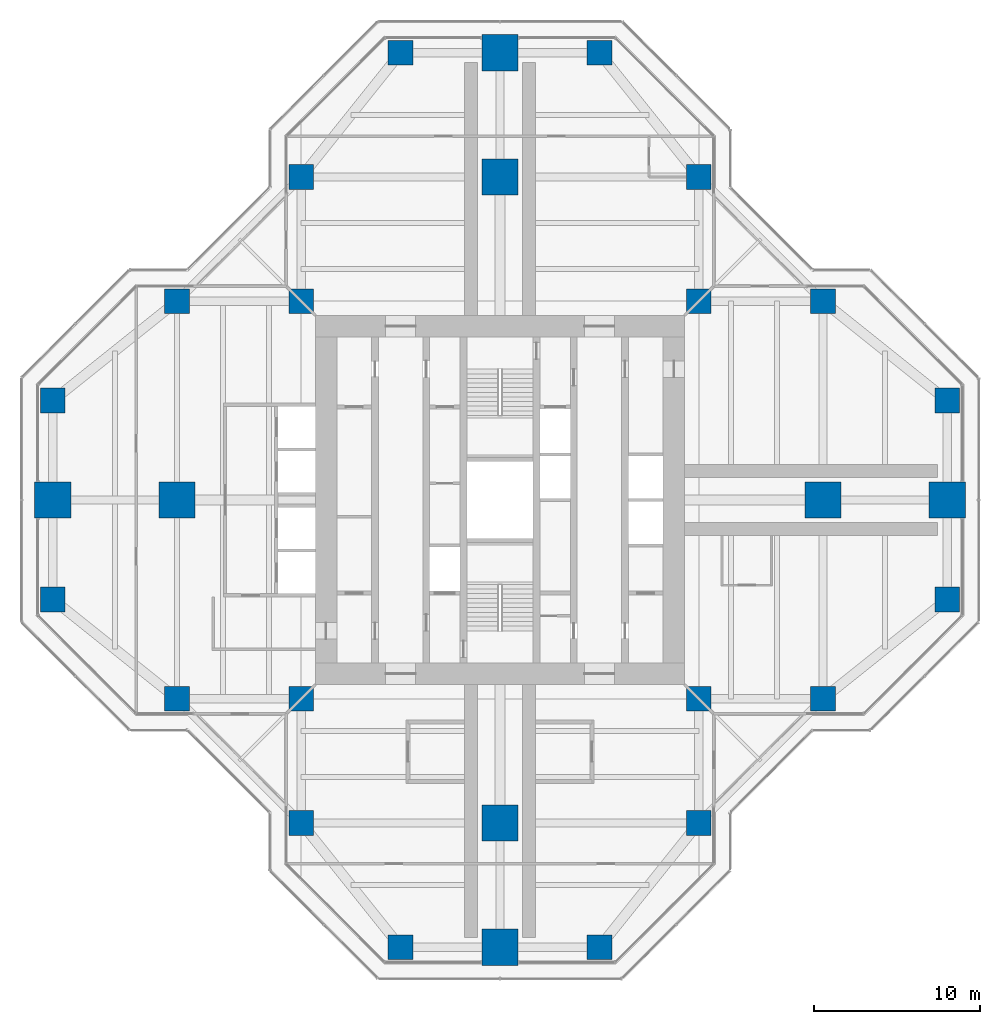
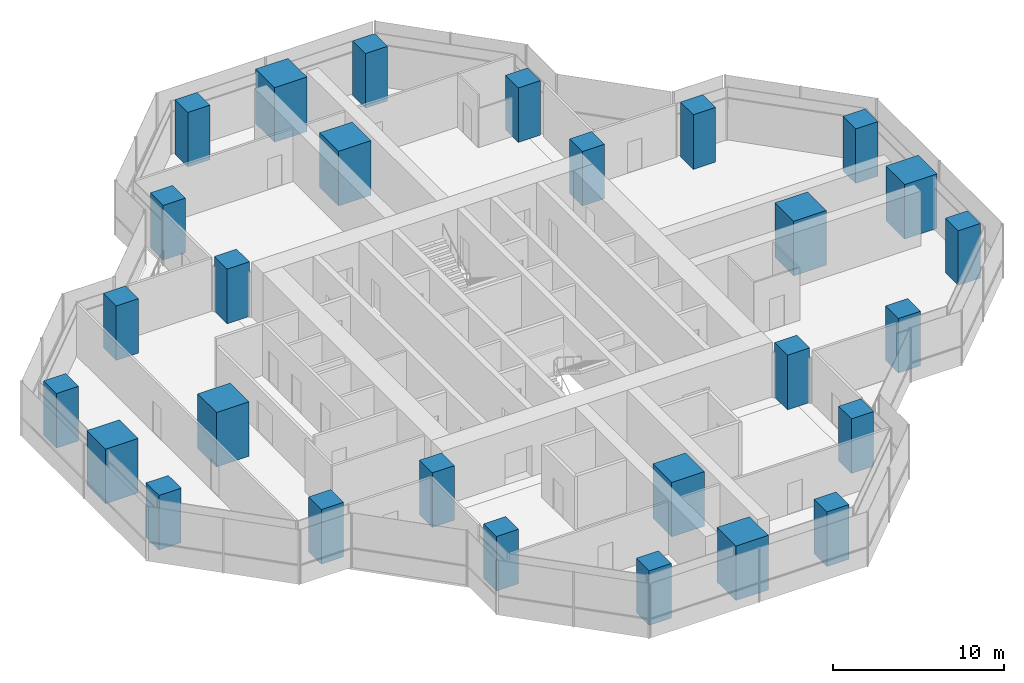
# One storey, part 1 of 17: 28 columns.
"""IFC4 building model written with IfcOpenShell, lengths in metres."""

from ifc_helpers import new_model, si_unit, direction, frame, origin, origin_2d, place, context, subcontext, project, spatial, rectangle, extrude, material, material_profile, profile_set, type_object, element, save


model = new_model("IFC4")

# Units and contexts
model_context = context("Model", 3, precision=1e-05, world=origin(), true_north=direction((0.0, 1.0)))
body_context = subcontext(model_context, "Body", "Model", "MODEL_VIEW")
ifc_project = project(units=[si_unit("LENGTHUNIT", "METRE"), si_unit("AREAUNIT", "SQUARE_METRE"), si_unit("VOLUMEUNIT", "CUBIC_METRE"), si_unit("PLANEANGLEUNIT", "RADIAN"), si_unit("MASSUNIT", "GRAM", prefix="KILO")], contexts=[model_context])

# Site, building, storey
site_placement = place(None, origin())
site = spatial("IfcSite", under=ifc_project, at=site_placement, CompositionType="ELEMENT")
building_placement = place(site_placement, origin())
building = spatial("IfcBuilding", under=site, at=building_placement, Name="Mizan Broadcast Tower", CompositionType="ELEMENT")
storey_placement = place(building_placement, frame((0.0, 0.0, 216.60009765625)))
storey = spatial("IfcBuildingStorey", under=building, at=storey_placement, Name="L50", CompositionType="ELEMENT", Elevation=216.60009765625)

# Columns
ifc_material_1 = material(Name="Concrete C70/85", Category="concrete")
ifc_material_profile_1 = material_profile(ifc_material_1, rectangle(XDim=1.5, YDim=1.5, at=origin_2d()), Name="RC 1500x1500")
ifc_profile_set_1 = profile_set([ifc_material_profile_1], Name="Concrete C70/85")
column_type_1 = type_object("IfcColumnType", Name="RC COLUMN 1500x1500 C70/85", PredefinedType="COLUMN", material=ifc_profile_set_1)
for number, where, z_axis, x_axis, name in (
    (1, (-6.0, -27.0, 0.0), (0.0, 0.0, 1.0), (1.0, 0.0, 0.0), "Column 5/B L50"),
    (2, (6.0, -27.0, 0.0), (0.0, 0.0, 1.0), (1.0, 0.0, 0.0), "Column 7/B L50"),
    (3, (-12.0, -19.5, 0.0), (0.0, 0.0, 1.0), (1.0, 0.0, 0.0), "Column 4/C L50"),
    (4, (12.0, -19.5, 0.0), (0.0, 0.0, 1.0), (1.0, 0.0, 0.0), "Column 8/C L50"),
    (5, (-19.5, -12.0, 0.0), (0.0, 0.0, 1.0), (1.0, 0.0, 0.0), "Column 3/D L50"),
    (6, (-12.0, -12.0, 0.0), (0.0, 0.0, 1.0), (1.0, 0.0, 0.0), "Column 4/D L50"),
    (7, (12.0, -12.0, 0.0), (0.0, 0.0, 1.0), (1.0, 0.0, 0.0), "Column 8/D L50"),
    (8, (19.5, -12.0, 0.0), (0.0, 0.0, 1.0), (1.0, 0.0, 0.0), "Column 9/D L50"),
    (9, (-27.0, -6.0, 0.0), (0.0, 0.0, 1.0), (1.0, 0.0, 0.0), "Column 2/E L50"),
    (10, (27.0, -6.0, 0.0), (0.0, 0.0, 1.0), (1.0, 0.0, 0.0), "Column 10/E L50"),
    (11, (-27.0, 6.0, 0.0), (0.0, 0.0, 1.0), (1.0, 0.0, 0.0), "Column 2/G L50"),
    (12, (27.0, 6.0, 0.0), (0.0, 0.0, 1.0), (1.0, 0.0, 0.0), "Column 10/G L50"),
    (13, (-19.5, 12.0, 0.0), (0.0, 0.0, 1.0), (1.0, 0.0, 0.0), "Column 3/H L50"),
    (14, (-12.0, 12.0, 0.0), (0.0, 0.0, 1.0), (1.0, 0.0, 0.0), "Column 4/H L50"),
    (15, (12.0, 12.0, 0.0), (0.0, 0.0, 1.0), (1.0, 0.0, 0.0), "Column 8/H L50"),
    (16, (19.5, 12.0, 0.0), (0.0, 0.0, 1.0), (1.0, 0.0, 0.0), "Column 9/H L50"),
    (17, (-12.0, 19.5, 0.0), (0.0, 0.0, 1.0), (1.0, 0.0, 0.0), "Column 4/J L50"),
    (18, (12.0, 19.5, 0.0), (0.0, 0.0, 1.0), (1.0, 0.0, 0.0), "Column 8/J L50"),
    (19, (-6.0, 27.0, 0.0), (0.0, 0.0, 1.0), (1.0, 0.0, 0.0), "Column 5/K L50"),
    (20, (6.0, 27.0, 0.0), (0.0, 0.0, 1.0), (1.0, 0.0, 0.0), "Column 7/K L50"),
):
    element("IfcColumn", number, at=place(storey_placement, frame(where, z_axis=z_axis, x_axis=x_axis)), inside=storey, type_object=column_type_1, Name=name, PredefinedType="COLUMN", context=body_context, shape_type="SweptSolid", body=[
        extrude(rectangle(XDim=1.5, YDim=1.5, at=origin_2d()), origin(), (0.0, 0.0, 1.0), 3.89990234375),
    ])
ifc_material_2 = material(Name="Concrete C70/85", Category="concrete")
ifc_material_profile_2 = material_profile(ifc_material_2, rectangle(XDim=2.199951171875, YDim=2.199951171875, at=origin_2d()), Name="RC 2200x2200")
ifc_profile_set_2 = profile_set([ifc_material_profile_2], Name="Concrete C70/85")
column_type_2 = type_object("IfcColumnType", Name="RC COLUMN 2200x2200 C70/85", PredefinedType="COLUMN", material=ifc_profile_set_2)
for number, where, z_axis, x_axis, name in (
    (21, (0.0, -27.0, 0.0), (0.0, 0.0, 1.0), (1.0, 0.0, 0.0), "Column 6/B L50"),
    (22, (0.0, -19.5, 0.0), (0.0, 0.0, 1.0), (1.0, 0.0, 0.0), "Column 6/C L50"),
    (23, (-27.0, 0.0, 0.0), (0.0, 0.0, 1.0), (1.0, 0.0, 0.0), "Column 2/F L50"),
    (24, (-19.5, 0.0, 0.0), (0.0, 0.0, 1.0), (1.0, 0.0, 0.0), "Column 3/F L50"),
    (25, (19.5, 0.0, 0.0), (0.0, 0.0, 1.0), (1.0, 0.0, 0.0), "Column 9/F L50"),
    (26, (27.0, 0.0, 0.0), (0.0, 0.0, 1.0), (1.0, 0.0, 0.0), "Column 10/F L50"),
    (27, (0.0, 19.5, 0.0), (0.0, 0.0, 1.0), (1.0, 0.0, 0.0), "Column 6/J L50"),
    (28, (0.0, 27.0, 0.0), (0.0, 0.0, 1.0), (1.0, 0.0, 0.0), "Column 6/K L50"),
):
    element("IfcColumn", number, at=place(storey_placement, frame(where, z_axis=z_axis, x_axis=x_axis)), inside=storey, type_object=column_type_2, Name=name, PredefinedType="COLUMN", context=body_context, shape_type="SweptSolid", body=[
        extrude(rectangle(XDim=2.199951171875, YDim=2.199951171875, at=origin_2d()), origin(), (0.0, 0.0, 1.0), 3.89990234375),
    ])

save(model, "model.ifc")
